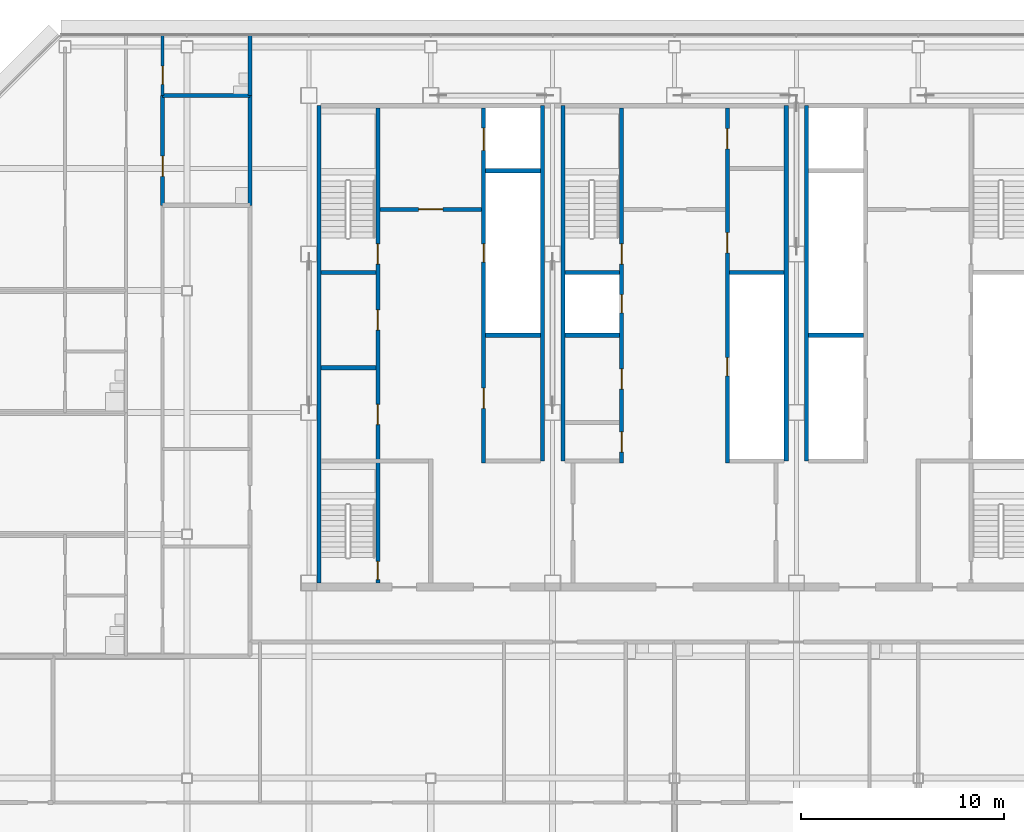
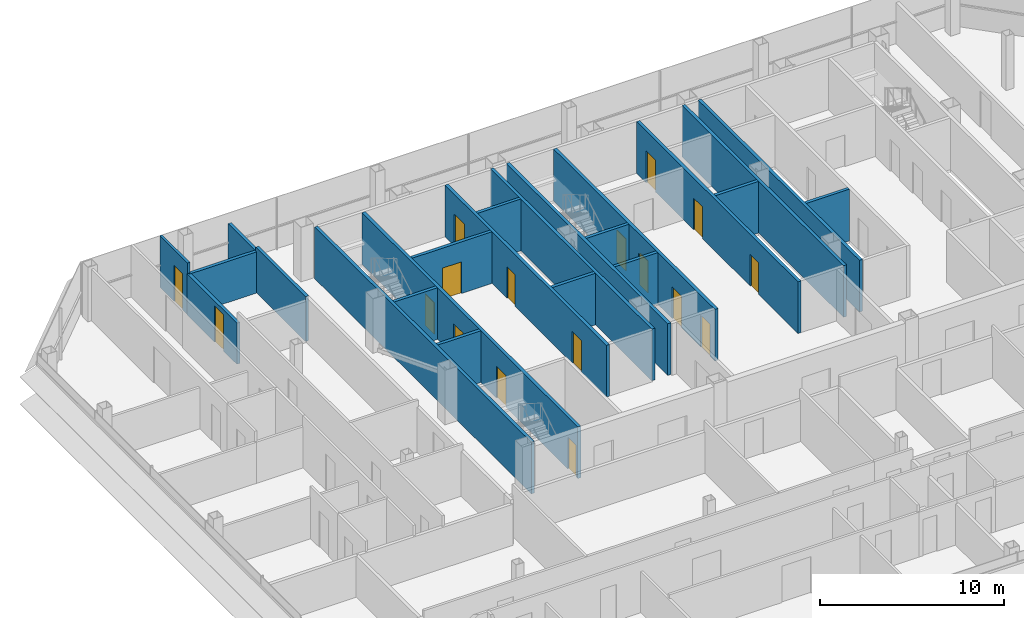
# One storey, part 24 of 28: 23 walls, 17 doors, 17 openings.
"""IFC4 building model written with IfcOpenShell, lengths in metres."""

from ifc_helpers import new_model, si_unit, direction, frame, frame_2d, origin, place, context, subcontext, project, spatial, rectangle, extrude, material, layer, layer_set, type_object, element, fill, save


model = new_model("IFC4")

# Units and contexts
model_context = context("Model", 3, precision=1e-05, world=origin(), true_north=direction((0.0, 1.0)))
body_context = subcontext(model_context, "Body", "Model", "MODEL_VIEW")
ifc_project = project(units=[si_unit("LENGTHUNIT", "METRE"), si_unit("AREAUNIT", "SQUARE_METRE"), si_unit("VOLUMEUNIT", "CUBIC_METRE"), si_unit("PLANEANGLEUNIT", "RADIAN"), si_unit("MASSUNIT", "GRAM", prefix="KILO")], contexts=[model_context])

# Site, building, storey
site_placement = place(None, origin())
site = spatial("IfcSite", under=ifc_project, at=site_placement, CompositionType="ELEMENT")
building_placement = place(site_placement, origin())
building = spatial("IfcBuilding", under=site, at=building_placement, Name="Sorahane Residences", CompositionType="ELEMENT")
storey_placement = place(building_placement, frame((0.0, 0.0, 266.60009765625)))
storey = spatial("IfcBuildingStorey", under=building, at=storey_placement, Name="L63", CompositionType="ELEMENT", Elevation=266.60009765625)

# Walls
ifc_material_1 = material(Name="Concrete C30", Category="concrete")
ifc_layer_1 = layer(ifc_material_1, 0.199951171875)
ifc_layer_set_1 = layer_set([ifc_layer_1], Name="Core face wall 200 EI 180")
wall_type_1 = type_object("IfcWallType", Name="Core face wall 200 EI 180", PredefinedType="SOLIDWALL", material=ifc_layer_set_1)
wall_1_placement = place(storey_placement, frame((6.5, 21.60009765625, 0.0), z_axis=(0.0, 0.0, 1.0), x_axis=(0.0, 1.0, 0.0)))
element("IfcWall", 1, at=wall_1_placement, inside=storey, type_object=wall_type_1, Name="L63 core face wall", PredefinedType="SOLIDWALL", context=body_context, shape_type="SweptSolid", body=[
    extrude(rectangle(XDim=23.5, YDim=0.199951171875, at=frame_2d((11.75, 0.0))), origin(), (0.0, 0.0, 1.0), 3.419921875),
])
for number, where, z_axis, x_axis, name in (
    (2, (17.5, 27.60009765625, 0.0), (0.0, 0.0, 1.0), (0.0, 1.0, 0.0), "L63 core face wall"),
    (3, (18.5, 27.60009765625, 0.0), (0.0, 0.0, 1.0), (0.0, 1.0, 0.0), "L63 core face wall"),
    (4, (29.5, 27.60009765625, 0.0), (0.0, 0.0, 1.0), (0.0, 1.0, 0.0), "L63 core face wall"),
    (5, (30.5, 27.60009765625, 0.0), (0.0, 0.0, 1.0), (0.0, 1.0, 0.0), "L63 core face wall"),
):
    element("IfcWall", number, at=place(storey_placement, frame(where, z_axis=z_axis, x_axis=x_axis)), inside=storey, type_object=wall_type_1, Name=name, PredefinedType="SOLIDWALL", context=body_context, shape_type="SweptSolid", body=[
        extrude(rectangle(XDim=17.5, YDim=0.199951171875, at=frame_2d((8.75, 0.0))), origin(), (0.0, 0.0, 1.0), 3.419921875),
    ])
ifc_material_2 = material(Name="Concrete blockwork C20 wall", Category="masonry")
ifc_layer_2 = layer(ifc_material_2, 0.199951171875)
ifc_layer_set_2 = layer_set([ifc_layer_2], Name="Corridor wall 200 EI 120")
wall_type_2 = type_object("IfcWallType", Name="Corridor wall 200 EI 120", PredefinedType="SOLIDWALL", material=ifc_layer_set_2)
wall_2_placement = place(storey_placement, frame((3.10009765625, 45.60009765625, 0.0), z_axis=(0.0, 0.0, 1.0), x_axis=(0.0, 1.0, 0.0)))
element("IfcWall", 6, at=wall_2_placement, inside=storey, type_object=wall_type_2, Name="L63 corridor wall", PredefinedType="SOLIDWALL", context=body_context, shape_type="SweptSolid", body=[
    extrude(rectangle(XDim=3.0, YDim=0.199951171875, at=frame_2d((1.5, 0.0))), origin(), (0.0, 0.0, 1.0), 2.719970703125),
])

# Wall, opening, door
ifc_material_3 = material(Name="Concrete C30", Category="concrete")
ifc_layer_3 = layer(ifc_material_3, 0.199951171875)
ifc_layer_set_3 = layer_set([ifc_layer_3], Name="Front room wall 200 EI 120")
wall_type_3 = type_object("IfcWallType", Name="Front room wall 200 EI 120", PredefinedType="PARTITIONING", material=ifc_layer_set_3)
wall_3_placement = place(storey_placement, frame((9.5, 40.0, 0.0), z_axis=(0.0, 0.0, 1.0), x_axis=(1.0, 0.0, 0.0)))
wall_3 = element("IfcWall", 7, at=wall_3_placement, inside=storey, type_object=wall_type_3, Name="L63 front room wall", PredefinedType="PARTITIONING", context=body_context, shape_type="SweptSolid", body=[
    extrude(rectangle(XDim=5.0, YDim=0.199951171875, at=frame_2d((2.5, 0.0))), origin(), (0.0, 0.0, 1.0), 3.419921875),
])
opening_1_placement = place(wall_3_placement, frame((1.89990234375, 0.0, 0.0)))
opening_1 = element("IfcOpeningElement", 8, at=opening_1_placement, cuts=wall_3, Name="Opening L63-C08", PredefinedType="OPENING", context=body_context, shape_type="SweptSolid", body=[
    extrude(rectangle(XDim=1.199951171875, YDim=2.10009765625, at=frame_2d((0.60009765625, 1.050048828125))), frame((0.0, 0.10986328125, 0.0), z_axis=(0.0, -1.0, 0.0), x_axis=(1.0, 0.0, 0.0)), (0.0, 0.0, 1.0), 0.219970703125),
])
ifc_material_4 = material(Name="Steel", Category="steel")
door_type_1 = type_object("IfcDoorType", Name="Front room door 1200x2100 FD120", OperationType="NOTDEFINED", PredefinedType="DOOR", material=ifc_material_4)
door_1_placement = place(opening_1_placement, frame((1.199951171875, 0.0, 0.0), z_axis=(0.0, 0.0, 1.0), x_axis=(-1.0, 0.0, 0.0)))
door_1 = element("IfcDoor", 9, at=door_1_placement, inside=storey, type_object=door_type_1, Name="Front room door Firefighting lobby FF1 front room L63", OperationType="DOUBLE_DOOR_SINGLE_SWING", OverallHeight=2.10009765625, OverallWidth=1.199951171875, PredefinedType="DOOR", context=body_context, shape_type="SweptSolid", body=[
    extrude(rectangle(XDim=1.199951171875, YDim=2.10009765625, at=frame_2d((0.60009765625, 1.050048828125))), frame((0.0, 0.02490234375, 0.0), z_axis=(0.0, -1.0, 0.0), x_axis=(1.0, 0.0, 0.0)), (0.0, 0.0, 1.0), 0.050048828125),
])
fill(opening_1, door_1)

ifc_material_5 = material(Name="Concrete blockwork C20 wall", Category="masonry")
ifc_layer_4 = layer(ifc_material_5, 0.199951171875)
ifc_layer_set_4 = layer_set([ifc_layer_4], Name="Kitchen wall 200 EI 180")
wall_type_4 = type_object("IfcWallType", Name="Kitchen wall 200 EI 180", PredefinedType="SOLIDWALL", material=ifc_layer_set_4)
wall_4_placement = place(storey_placement, frame((-1.199951171875, 40.199951171875, 0.0), z_axis=(0.0, 0.0, 1.0), x_axis=(0.0, 1.0, 0.0)))
wall_4 = element("IfcWall", 10, at=wall_4_placement, inside=storey, type_object=wall_type_4, Name="L63 kitchen wall", PredefinedType="SOLIDWALL", context=body_context, shape_type="SweptSolid", body=[
    extrude(rectangle(XDim=5.400146484375, YDim=0.199951171875, at=frame_2d((2.7001953125, 0.0))), origin(), (0.0, 0.0, 1.0), 2.719970703125),
])
opening_2_placement = place(wall_4_placement, frame((1.419921875, 0.0, 0.0)))
opening_2 = element("IfcOpeningElement", 11, at=opening_2_placement, cuts=wall_4, Name="Opening L63-33", PredefinedType="OPENING", context=body_context, shape_type="SweptSolid", body=[
    extrude(rectangle(XDim=1.0, YDim=2.39990234375, at=frame_2d((0.5, 1.199951171875))), frame((0.0, 0.10986328125, 0.0), z_axis=(0.0, -1.0, 0.0), x_axis=(1.0, 0.0, 0.0)), (0.0, 0.0, 1.0), 0.219970703125),
])
ifc_material_6 = material(Name="Steel", Category="steel")
door_type_2 = type_object("IfcDoorType", Name="Kitchen door 1000x2400 FD120", OperationType="NOTDEFINED", PredefinedType="DOOR", material=ifc_material_6)
door_2_placement = place(opening_2_placement, frame((1.0, 0.0, 0.0), z_axis=(0.0, 0.0, 1.0), x_axis=(-1.0, 0.0, 0.0)))
door_2 = element("IfcDoor", 12, at=door_2_placement, inside=storey, type_object=door_type_2, Name="Kitchen door L63-33", OperationType="SINGLE_SWING_LEFT", OverallHeight=2.39990234375, OverallWidth=1.0, PredefinedType="DOOR", context=body_context, shape_type="SweptSolid", body=[
    extrude(rectangle(XDim=1.0, YDim=2.39990234375, at=frame_2d((0.5, 1.199951171875))), frame((0.0, 0.02490234375, 0.0), z_axis=(0.0, -1.0, 0.0), x_axis=(1.0, 0.0, 0.0)), (0.0, 0.0, 1.0), 0.050048828125),
])
fill(opening_2, door_2)

# Walls
wall_5_placement = place(storey_placement, frame((3.10009765625, 40.199951171875, 0.0), z_axis=(0.0, 0.0, 1.0), x_axis=(0.0, 1.0, 0.0)))
element("IfcWall", 13, at=wall_5_placement, inside=storey, type_object=wall_type_4, Name="L63 kitchen wall", PredefinedType="SOLIDWALL", context=body_context, shape_type="SweptSolid", body=[
    extrude(rectangle(XDim=5.400146484375, YDim=0.199951171875, at=frame_2d((2.7001953125, 0.0))), origin(), (0.0, 0.0, 1.0), 2.969970703125),
])
wall_6_placement = place(storey_placement, frame((-1.199951171875, 45.60009765625, 0.0), z_axis=(0.0, 0.0, 1.0), x_axis=(1.0, 0.0, 0.0)))
element("IfcWall", 14, at=wall_6_placement, inside=storey, type_object=wall_type_4, Name="L63 kitchen wall", PredefinedType="SOLIDWALL", context=body_context, shape_type="SweptSolid", body=[
    extrude(rectangle(XDim=4.300048828125, YDim=0.199951171875, at=frame_2d((2.14990234375, 0.0))), origin(), (0.0, 0.0, 1.0), 2.719970703125),
])

# Wall, openings, doors
ifc_material_7 = material(Name="Concrete C30", Category="concrete")
ifc_layer_5 = layer(ifc_material_7, 0.199951171875)
ifc_layer_set_5 = layer_set([ifc_layer_5], Name="Lift shaft wall 200 EI 120")
wall_type_5 = type_object("IfcWallType", Name="Lift shaft wall 200 EI 120", PredefinedType="SOLIDWALL", material=ifc_layer_set_5)
wall_7_placement = place(storey_placement, frame((14.60009765625, 27.5, 0.0), z_axis=(0.0, 0.0, 1.0), x_axis=(0.0, 1.0, 0.0)))
wall_7 = element("IfcWall", 15, at=wall_7_placement, inside=storey, type_object=wall_type_5, Name="L63 lift shaft wall", PredefinedType="SOLIDWALL", context=body_context, shape_type="SweptSolid", body=[
    extrude(rectangle(XDim=17.5, YDim=0.199951171875, at=frame_2d((8.75, 0.0))), origin(), (0.0, 0.0, 1.0), 3.419921875),
])
opening_3_placement = place(wall_7_placement, frame((15.39990234375, 0.0, 0.0)))
opening_3 = element("IfcOpeningElement", 16, at=opening_3_placement, cuts=wall_7, Name="Opening L63-C17", PredefinedType="OPENING", context=body_context, shape_type="SweptSolid", body=[
    extrude(rectangle(XDim=1.10009765625, YDim=2.10009765625, at=frame_2d((0.550048828125, 1.050048828125))), frame((0.0, 0.10986328125, 0.0), z_axis=(0.0, -1.0, 0.0), x_axis=(1.0, 0.0, 0.0)), (0.0, 0.0, 1.0), 0.219970703125),
])
opening_4_placement = place(wall_7_placement, frame((2.699951171875, 0.0, 0.0)))
opening_4 = element("IfcOpeningElement", 17, at=opening_4_placement, cuts=wall_7, Name="Opening L63-C20", PredefinedType="OPENING", context=body_context, shape_type="SweptSolid", body=[
    extrude(rectangle(XDim=1.0, YDim=2.10009765625, at=frame_2d((0.5, 1.050048828125))), frame((0.0, 0.10986328125, 0.0), z_axis=(0.0, -1.0, 0.0), x_axis=(1.0, 0.0, 0.0)), (0.0, 0.0, 1.0), 0.219970703125),
])
opening_5_placement = place(wall_7_placement, frame((9.89990234375, 0.0, 0.0)))
opening_5 = element("IfcOpeningElement", 18, at=opening_5_placement, cuts=wall_7, Name="Opening L63-C28", PredefinedType="OPENING", context=body_context, shape_type="SweptSolid", body=[
    extrude(rectangle(XDim=0.89990234375, YDim=2.10009765625, at=frame_2d((0.449951171875, 1.050048828125))), frame((0.0, 0.10986328125, 0.0), z_axis=(0.0, -1.0, 0.0), x_axis=(1.0, 0.0, 0.0)), (0.0, 0.0, 1.0), 0.219970703125),
])
ifc_material_8 = material(Name="Aluminium and stainless steel", Category="steel")
door_type_3 = type_object("IfcDoorType", Name="Lift landing door 1100x2100 E 60", OperationType="NOTDEFINED", PredefinedType="DOOR", material=ifc_material_8)
door_3_placement = place(opening_3_placement, origin())
door_3 = element("IfcDoor", 19, at=door_3_placement, inside=storey, type_object=door_type_3, Name="Lift landing door FF1 L63", OperationType="DOUBLE_DOOR_SLIDING", OverallHeight=2.10009765625, OverallWidth=1.10009765625, PredefinedType="DOOR", context=body_context, shape_type="SweptSolid", body=[
    extrude(rectangle(XDim=1.10009765625, YDim=2.10009765625, at=frame_2d((0.550048828125, 1.050048828125))), frame((0.0, 0.02490234375, 0.0), z_axis=(0.0, -1.0, 0.0), x_axis=(1.0, 0.0, 0.0)), (0.0, 0.0, 1.0), 0.050048828125),
])
fill(opening_3, door_3)
ifc_material_9 = material(Name="Steel", Category="steel")
door_type_4 = type_object("IfcDoorType", Name="Riser door 900x2100 FD120", OperationType="NOTDEFINED", PredefinedType="DOOR", material=ifc_material_9)
door_4_placement = place(opening_5_placement, origin())
door_4 = element("IfcDoor", 20, at=door_4_placement, inside=storey, type_object=door_type_4, Name="Riser door R1 L63", OperationType="SINGLE_SWING_LEFT", OverallHeight=2.10009765625, OverallWidth=0.89990234375, PredefinedType="DOOR", context=body_context, shape_type="SweptSolid", body=[
    extrude(rectangle(XDim=0.89990234375, YDim=2.10009765625, at=frame_2d((0.449951171875, 1.050048828125))), frame((0.0, 0.02490234375, 0.0), z_axis=(0.0, -1.0, 0.0), x_axis=(1.0, 0.0, 0.0)), (0.0, 0.0, 1.0), 0.050048828125),
])
fill(opening_5, door_4)
ifc_material_10 = material(Name="Steel", Category="steel")
door_type_5 = type_object("IfcDoorType", Name="Service room door 1000x2100 FD60", OperationType="NOTDEFINED", PredefinedType="DOOR", material=ifc_material_10)
door_5_placement = place(opening_4_placement, frame((1.0, 0.0, 0.0), z_axis=(0.0, 0.0, 1.0), x_axis=(-1.0, 0.0, 0.0)))
door_5 = element("IfcDoor", 21, at=door_5_placement, inside=storey, type_object=door_type_5, Name="Service room door Quiet room L63", OperationType="SINGLE_SWING_RIGHT", OverallHeight=2.10009765625, OverallWidth=1.0, PredefinedType="DOOR", context=body_context, shape_type="SweptSolid", body=[
    extrude(rectangle(XDim=1.0, YDim=2.10009765625, at=frame_2d((0.5, 1.050048828125))), frame((0.0, 0.02490234375, 0.0), z_axis=(0.0, -1.0, 0.0), x_axis=(1.0, 0.0, 0.0)), (0.0, 0.0, 1.0), 0.050048828125),
])
fill(opening_4, door_5)

# Walls
for number, where, z_axis, x_axis, name in (
    (22, (30.60009765625, 33.800048828125, 0.0), (0.0, 0.0, 1.0), (1.0, 0.0, 0.0), "L63 lift shaft wall"),
    (23, (14.699951171875, 41.89990234375, 0.0), (0.0, 0.0, 1.0), (1.0, 0.0, 0.0), "L63 lift shaft wall"),
):
    element("IfcWall", number, at=place(storey_placement, frame(where, z_axis=z_axis, x_axis=x_axis)), inside=storey, type_object=wall_type_5, Name=name, PredefinedType="SOLIDWALL", context=body_context, shape_type="SweptSolid", body=[
        extrude(rectangle(XDim=2.699951171875, YDim=0.199951171875, at=frame_2d((1.35009765625, 0.0))), origin(), (0.0, 0.0, 1.0), 3.419921875),
    ])

# Wall, openings, doors
ifc_material_11 = material(Name="Concrete C30", Category="concrete")
ifc_layer_6 = layer(ifc_material_11, 0.199951171875)
ifc_layer_set_6 = layer_set([ifc_layer_6], Name="Riser shaft wall 200 EI 120")
wall_type_6 = type_object("IfcWallType", Name="Riser shaft wall 200 EI 120", PredefinedType="SOLIDWALL", material=ifc_layer_set_6)
wall_8_placement = place(storey_placement, frame((26.60009765625, 27.5, 0.0), z_axis=(0.0, 0.0, 1.0), x_axis=(0.0, 1.0, 0.0)))
wall_8 = element("IfcWall", 24, at=wall_8_placement, inside=storey, type_object=wall_type_6, Name="L63 riser wall", PredefinedType="SOLIDWALL", context=body_context, shape_type="SweptSolid", body=[
    extrude(rectangle(XDim=17.5, YDim=0.199951171875, at=frame_2d((8.75, 0.0))), origin(), (0.0, 0.0, 1.0), 3.419921875),
])
opening_6_placement = place(wall_8_placement, frame((4.300048828125, 0.0, 0.0)))
opening_6 = element("IfcOpeningElement", 25, at=opening_6_placement, cuts=wall_8, Name="Opening L63-C31", PredefinedType="OPENING", context=body_context, shape_type="SweptSolid", body=[
    extrude(rectangle(XDim=0.89990234375, YDim=2.10009765625, at=frame_2d((0.449951171875, 1.050048828125))), frame((0.0, 0.10986328125, 0.0), z_axis=(0.0, -1.0, 0.0), x_axis=(1.0, 0.0, 0.0)), (0.0, 0.0, 1.0), 0.219970703125),
])
opening_7_placement = place(wall_8_placement, frame((10.35009765625, 0.0, 0.0)))
opening_7 = element("IfcOpeningElement", 26, at=opening_7_placement, cuts=wall_8, Name="Opening L63-C32", PredefinedType="OPENING", context=body_context, shape_type="SweptSolid", body=[
    extrude(rectangle(XDim=1.0, YDim=2.10009765625, at=frame_2d((0.5, 1.050048828125))), frame((0.0, 0.10986328125, 0.0), z_axis=(0.0, -1.0, 0.0), x_axis=(1.0, 0.0, 0.0)), (0.0, 0.0, 1.0), 0.219970703125),
])
opening_8_placement = place(wall_8_placement, frame((15.47509765625, 0.0, 0.0)))
opening_8 = element("IfcOpeningElement", 27, at=opening_8_placement, cuts=wall_8, Name="Opening L63-C33", PredefinedType="OPENING", context=body_context, shape_type="SweptSolid", body=[
    extrude(rectangle(XDim=1.0, YDim=2.10009765625, at=frame_2d((0.5, 1.050048828125))), frame((0.0, 0.10986328125, 0.0), z_axis=(0.0, -1.0, 0.0), x_axis=(1.0, 0.0, 0.0)), (0.0, 0.0, 1.0), 0.219970703125),
])
door_6_placement = place(opening_6_placement, origin())
door_6 = element("IfcDoor", 28, at=door_6_placement, inside=storey, type_object=door_type_4, Name="Riser door R4 L63", OperationType="SINGLE_SWING_LEFT", OverallHeight=2.10009765625, OverallWidth=0.89990234375, PredefinedType="DOOR", context=body_context, shape_type="SweptSolid", body=[
    extrude(rectangle(XDim=0.89990234375, YDim=2.10009765625, at=frame_2d((0.449951171875, 1.050048828125))), frame((0.0, 0.02490234375, 0.0), z_axis=(0.0, -1.0, 0.0), x_axis=(1.0, 0.0, 0.0)), (0.0, 0.0, 1.0), 0.050048828125),
])
fill(opening_6, door_6)
door_7_placement = place(opening_7_placement, frame((1.0, 0.0, 0.0), z_axis=(0.0, 0.0, 1.0), x_axis=(-1.0, 0.0, 0.0)))
door_7 = element("IfcDoor", 29, at=door_7_placement, inside=storey, type_object=door_type_5, Name="Service room door Parcel room L63", OperationType="SINGLE_SWING_LEFT", OverallHeight=2.10009765625, OverallWidth=1.0, PredefinedType="DOOR", context=body_context, shape_type="SweptSolid", body=[
    extrude(rectangle(XDim=1.0, YDim=2.10009765625, at=frame_2d((0.5, 1.050048828125))), frame((0.0, 0.02490234375, 0.0), z_axis=(0.0, -1.0, 0.0), x_axis=(1.0, 0.0, 0.0)), (0.0, 0.0, 1.0), 0.050048828125),
])
fill(opening_7, door_7)
door_8_placement = place(opening_8_placement, frame((1.0, 0.0, 0.0), z_axis=(0.0, 0.0, 1.0), x_axis=(-1.0, 0.0, 0.0)))
door_8 = element("IfcDoor", 30, at=door_8_placement, inside=storey, type_object=door_type_5, Name="Service room door Refuse room L63", OperationType="SINGLE_SWING_RIGHT", OverallHeight=2.10009765625, OverallWidth=1.0, PredefinedType="DOOR", context=body_context, shape_type="SweptSolid", body=[
    extrude(rectangle(XDim=1.0, YDim=2.10009765625, at=frame_2d((0.5, 1.050048828125))), frame((0.0, 0.02490234375, 0.0), z_axis=(0.0, -1.0, 0.0), x_axis=(1.0, 0.0, 0.0)), (0.0, 0.0, 1.0), 0.050048828125),
])
fill(opening_8, door_8)

# Walls
for number, where, z_axis, x_axis, name in (
    (31, (14.699951171875, 33.800048828125, 0.0), (0.0, 0.0, 1.0), (1.0, 0.0, 0.0), "L63 riser wall"),
    (32, (18.60009765625, 33.800048828125, 0.0), (0.0, 0.0, 1.0), (1.0, 0.0, 0.0), "L63 riser wall"),
    (33, (26.699951171875, 36.89990234375, 0.0), (0.0, 0.0, 1.0), (1.0, 0.0, 0.0), "L63 riser wall"),
):
    element("IfcWall", number, at=place(storey_placement, frame(where, z_axis=z_axis, x_axis=x_axis)), inside=storey, type_object=wall_type_6, Name=name, PredefinedType="SOLIDWALL", context=body_context, shape_type="SweptSolid", body=[
        extrude(rectangle(XDim=2.699951171875, YDim=0.199951171875, at=frame_2d((1.35009765625, 0.0))), origin(), (0.0, 0.0, 1.0), 3.419921875),
    ])
ifc_material_12 = material(Name="Concrete C30", Category="concrete")
ifc_layer_7 = layer(ifc_material_12, 0.199951171875)
ifc_layer_set_7 = layer_set([ifc_layer_7], Name="Service room partition 200 EI 60")
wall_type_7 = type_object("IfcWallType", Name="Service room partition 200 EI 60", PredefinedType="PARTITIONING", material=ifc_layer_set_7)
wall_9_placement = place(storey_placement, frame((6.60009765625, 32.199951171875, 0.0), z_axis=(0.0, 0.0, 1.0), x_axis=(1.0, 0.0, 0.0)))
element("IfcWall", 34, at=wall_9_placement, inside=storey, type_object=wall_type_7, Name="L63 service room wall", PredefinedType="PARTITIONING", context=body_context, shape_type="SweptSolid", body=[
    extrude(rectangle(XDim=2.699951171875, YDim=0.199951171875, at=frame_2d((1.35009765625, 0.0))), origin(), (0.0, 0.0, 1.0), 3.419921875),
])

# Wall, openings, doors
ifc_material_13 = material(Name="Concrete C30", Category="concrete")
ifc_layer_8 = layer(ifc_material_13, 0.199951171875)
ifc_layer_set_8 = layer_set([ifc_layer_8], Name="Stair enclosure wall 200 EI 120")
wall_type_8 = type_object("IfcWallType", Name="Stair enclosure wall 200 EI 120", PredefinedType="SOLIDWALL", material=ifc_layer_set_8)
wall_10_placement = place(storey_placement, frame((21.39990234375, 27.5, 0.0), z_axis=(0.0, 0.0, 1.0), x_axis=(0.0, 1.0, 0.0)))
wall_10 = element("IfcWall", 35, at=wall_10_placement, inside=storey, type_object=wall_type_8, Name="L63 stair enclosure wall", PredefinedType="SOLIDWALL", context=body_context, shape_type="SweptSolid", body=[
    extrude(rectangle(XDim=17.5, YDim=0.199951171875, at=frame_2d((8.75, 0.0))), origin(), (0.0, 0.0, 1.0), 3.419921875),
])
opening_9_placement = place(wall_10_placement, frame((0.550048828125, 0.0, 0.0)))
opening_9 = element("IfcOpeningElement", 36, at=opening_9_placement, cuts=wall_10, Name="Opening L63-C18", PredefinedType="OPENING", context=body_context, shape_type="SweptSolid", body=[
    extrude(rectangle(XDim=1.0, YDim=2.10009765625, at=frame_2d((0.5, 1.050048828125))), frame((0.0, 0.10986328125, 0.0), z_axis=(0.0, -1.0, 0.0), x_axis=(1.0, 0.0, 0.0)), (0.0, 0.0, 1.0), 0.219970703125),
])
opening_10_placement = place(wall_10_placement, frame((3.64990234375, 0.0, 0.0)))
opening_10 = element("IfcOpeningElement", 37, at=opening_10_placement, cuts=wall_10, Name="Opening L63-C19", PredefinedType="OPENING", context=body_context, shape_type="SweptSolid", body=[
    extrude(rectangle(XDim=1.0, YDim=2.10009765625, at=frame_2d((0.5, 1.050048828125))), frame((0.0, 0.10986328125, 0.0), z_axis=(0.0, -1.0, 0.0), x_axis=(1.0, 0.0, 0.0)), (0.0, 0.0, 1.0), 0.219970703125),
])
opening_11_placement = place(wall_10_placement, frame((9.800048828125, 0.0, 0.0)))
opening_11 = element("IfcOpeningElement", 38, at=opening_11_placement, cuts=wall_10, Name="Opening L63-C25", PredefinedType="OPENING", context=body_context, shape_type="SweptSolid", body=[
    extrude(rectangle(XDim=1.0, YDim=2.10009765625, at=frame_2d((0.5, 1.050048828125))), frame((0.0, 0.10986328125, 0.0), z_axis=(0.0, -1.0, 0.0), x_axis=(1.0, 0.0, 0.0)), (0.0, 0.0, 1.0), 0.219970703125),
])
opening_12_placement = place(wall_10_placement, frame((7.39990234375, 0.0, 0.0)))
opening_12 = element("IfcOpeningElement", 39, at=opening_12_placement, cuts=wall_10, Name="Opening L63-C30", PredefinedType="OPENING", context=body_context, shape_type="SweptSolid", body=[
    extrude(rectangle(XDim=0.89990234375, YDim=2.10009765625, at=frame_2d((0.449951171875, 1.050048828125))), frame((0.0, 0.10986328125, 0.0), z_axis=(0.0, -1.0, 0.0), x_axis=(1.0, 0.0, 0.0)), (0.0, 0.0, 1.0), 0.219970703125),
])
door_9_placement = place(opening_12_placement, frame((0.89990234375, 0.0, 0.0), z_axis=(0.0, 0.0, 1.0), x_axis=(-1.0, 0.0, 0.0)))
door_9 = element("IfcDoor", 40, at=door_9_placement, inside=storey, type_object=door_type_4, Name="Riser door R3 L63", OperationType="SINGLE_SWING_LEFT", OverallHeight=2.10009765625, OverallWidth=0.89990234375, PredefinedType="DOOR", context=body_context, shape_type="SweptSolid", body=[
    extrude(rectangle(XDim=0.89990234375, YDim=2.10009765625, at=frame_2d((0.449951171875, 1.050048828125))), frame((0.0, 0.02490234375, 0.0), z_axis=(0.0, -1.0, 0.0), x_axis=(1.0, 0.0, 0.0)), (0.0, 0.0, 1.0), 0.050048828125),
])
fill(opening_12, door_9)
door_10_placement = place(opening_9_placement, origin())
door_10 = element("IfcDoor", 41, at=door_10_placement, inside=storey, type_object=door_type_5, Name="Service room door Guest suite store L63", OperationType="SINGLE_SWING_LEFT", OverallHeight=2.10009765625, OverallWidth=1.0, PredefinedType="DOOR", context=body_context, shape_type="SweptSolid", body=[
    extrude(rectangle(XDim=1.0, YDim=2.10009765625, at=frame_2d((0.5, 1.050048828125))), frame((0.0, 0.02490234375, 0.0), z_axis=(0.0, -1.0, 0.0), x_axis=(1.0, 0.0, 0.0)), (0.0, 0.0, 1.0), 0.050048828125),
])
fill(opening_9, door_10)
door_11_placement = place(opening_10_placement, origin())
door_11 = element("IfcDoor", 42, at=door_11_placement, inside=storey, type_object=door_type_5, Name="Service room door Library L63", OperationType="SINGLE_SWING_LEFT", OverallHeight=2.10009765625, OverallWidth=1.0, PredefinedType="DOOR", context=body_context, shape_type="SweptSolid", body=[
    extrude(rectangle(XDim=1.0, YDim=2.10009765625, at=frame_2d((0.5, 1.050048828125))), frame((0.0, 0.02490234375, 0.0), z_axis=(0.0, -1.0, 0.0), x_axis=(1.0, 0.0, 0.0)), (0.0, 0.0, 1.0), 0.050048828125),
])
fill(opening_10, door_11)
ifc_material_14 = material(Name="Steel", Category="steel")
door_type_6 = type_object("IfcDoorType", Name="Stair door 1000x2100 FD120", OperationType="NOTDEFINED", PredefinedType="DOOR", material=ifc_material_14)
door_12_placement = place(opening_11_placement, origin())
door_12 = element("IfcDoor", 43, at=door_12_placement, inside=storey, type_object=door_type_6, Name="Stair door S3 L63", OperationType="SINGLE_SWING_LEFT", OverallHeight=2.10009765625, OverallWidth=1.0, PredefinedType="DOOR", context=body_context, shape_type="SweptSolid", body=[
    extrude(rectangle(XDim=1.0, YDim=2.10009765625, at=frame_2d((0.5, 1.050048828125))), frame((0.0, 0.02490234375, 0.0), z_axis=(0.0, -1.0, 0.0), x_axis=(1.0, 0.0, 0.0)), (0.0, 0.0, 1.0), 0.050048828125),
])
fill(opening_11, door_12)

wall_11_placement = place(storey_placement, frame((9.39990234375, 21.60009765625, 0.0), z_axis=(0.0, 0.0, 1.0), x_axis=(0.0, 1.0, 0.0)))
wall_11 = element("IfcWall", 44, at=wall_11_placement, inside=storey, type_object=wall_type_8, Name="L63 stair enclosure wall", PredefinedType="SOLIDWALL", context=body_context, shape_type="SweptSolid", body=[
    extrude(rectangle(XDim=23.39990234375, YDim=0.199951171875, at=frame_2d((11.699951171875, 0.0))), origin(), (0.0, 0.0, 1.0), 3.419921875),
])
opening_13_placement = place(wall_11_placement, frame((7.800048828125, 0.0, 0.0)))
opening_13 = element("IfcOpeningElement", 45, at=opening_13_placement, cuts=wall_11, Name="Opening L63-C21", PredefinedType="OPENING", context=body_context, shape_type="SweptSolid", body=[
    extrude(rectangle(XDim=1.0, YDim=2.10009765625, at=frame_2d((0.5, 1.050048828125))), frame((0.0, 0.10986328125, 0.0), z_axis=(0.0, -1.0, 0.0), x_axis=(1.0, 0.0, 0.0)), (0.0, 0.0, 1.0), 0.219970703125),
])
opening_14_placement = place(wall_11_placement, frame((12.449951171875, 0.0, 0.0)))
opening_14 = element("IfcOpeningElement", 46, at=opening_14_placement, cuts=wall_11, Name="Opening L63-C22", PredefinedType="OPENING", context=body_context, shape_type="SweptSolid", body=[
    extrude(rectangle(XDim=1.0, YDim=2.10009765625, at=frame_2d((0.5, 1.050048828125))), frame((0.0, 0.10986328125, 0.0), z_axis=(0.0, -1.0, 0.0), x_axis=(1.0, 0.0, 0.0)), (0.0, 0.0, 1.0), 0.219970703125),
])
opening_15_placement = place(wall_11_placement, frame((15.699951171875, 0.0, 0.0)))
opening_15 = element("IfcOpeningElement", 47, at=opening_15_placement, cuts=wall_11, Name="Opening L63-C23", PredefinedType="OPENING", context=body_context, shape_type="SweptSolid", body=[
    extrude(rectangle(XDim=1.0, YDim=2.10009765625, at=frame_2d((0.5, 1.050048828125))), frame((0.0, 0.10986328125, 0.0), z_axis=(0.0, -1.0, 0.0), x_axis=(1.0, 0.0, 0.0)), (0.0, 0.0, 1.0), 0.219970703125),
])
opening_16_placement = place(wall_11_placement, frame((0.175048828125, 0.0, 0.0)))
opening_16 = element("IfcOpeningElement", 48, at=opening_16_placement, cuts=wall_11, Name="Opening L63-C26", PredefinedType="OPENING", context=body_context, shape_type="SweptSolid", body=[
    extrude(rectangle(XDim=0.89990234375, YDim=2.10009765625, at=frame_2d((0.449951171875, 1.050048828125))), frame((0.0, 0.10986328125, 0.0), z_axis=(0.0, -1.0, 0.0), x_axis=(1.0, 0.0, 0.0)), (0.0, 0.0, 1.0), 0.219970703125),
])
door_13_placement = place(opening_13_placement, origin())
door_13 = element("IfcDoor", 49, at=door_13_placement, inside=storey, type_object=door_type_5, Name="Service room door Quiet room L63", OperationType="SINGLE_SWING_RIGHT", OverallHeight=2.10009765625, OverallWidth=1.0, PredefinedType="DOOR", context=body_context, shape_type="SweptSolid", body=[
    extrude(rectangle(XDim=1.0, YDim=2.10009765625, at=frame_2d((0.5, 1.050048828125))), frame((0.0, 0.02490234375, 0.0), z_axis=(0.0, -1.0, 0.0), x_axis=(1.0, 0.0, 0.0)), (0.0, 0.0, 1.0), 0.050048828125),
])
fill(opening_13, door_13)
door_14_placement = place(opening_14_placement, origin())
door_14 = element("IfcDoor", 50, at=door_14_placement, inside=storey, type_object=door_type_5, Name="Service room door Quiet room L63", OperationType="SINGLE_SWING_LEFT", OverallHeight=2.10009765625, OverallWidth=1.0, PredefinedType="DOOR", context=body_context, shape_type="SweptSolid", body=[
    extrude(rectangle(XDim=1.0, YDim=2.10009765625, at=frame_2d((0.5, 1.050048828125))), frame((0.0, 0.02490234375, 0.0), z_axis=(0.0, -1.0, 0.0), x_axis=(1.0, 0.0, 0.0)), (0.0, 0.0, 1.0), 0.050048828125),
])
fill(opening_14, door_14)
door_15_placement = place(opening_15_placement, origin())
door_15 = element("IfcDoor", 51, at=door_15_placement, inside=storey, type_object=door_type_6, Name="Stair door S1 L63", OperationType="SINGLE_SWING_LEFT", OverallHeight=2.10009765625, OverallWidth=1.0, PredefinedType="DOOR", context=body_context, shape_type="SweptSolid", body=[
    extrude(rectangle(XDim=1.0, YDim=2.10009765625, at=frame_2d((0.5, 1.050048828125))), frame((0.0, 0.02490234375, 0.0), z_axis=(0.0, -1.0, 0.0), x_axis=(1.0, 0.0, 0.0)), (0.0, 0.0, 1.0), 0.050048828125),
])
fill(opening_15, door_15)
ifc_material_15 = material(Name="Steel", Category="steel")
door_type_7 = type_object("IfcDoorType", Name="Stair door 900x2100 FD120", OperationType="NOTDEFINED", PredefinedType="DOOR", material=ifc_material_15)
door_16_placement = place(opening_16_placement, origin())
door_16 = element("IfcDoor", 52, at=door_16_placement, inside=storey, type_object=door_type_7, Name="Stair door S4 L63", OperationType="SINGLE_SWING_LEFT", OverallHeight=2.10009765625, OverallWidth=0.89990234375, PredefinedType="DOOR", context=body_context, shape_type="SweptSolid", body=[
    extrude(rectangle(XDim=0.89990234375, YDim=2.10009765625, at=frame_2d((0.449951171875, 1.050048828125))), frame((0.0, 0.02490234375, 0.0), z_axis=(0.0, -1.0, 0.0), x_axis=(1.0, 0.0, 0.0)), (0.0, 0.0, 1.0), 0.050048828125),
])
fill(opening_16, door_16)

# Walls
for number, where, z_axis, x_axis, name in (
    (53, (18.60009765625, 36.89990234375, 0.0), (0.0, 0.0, 1.0), (1.0, 0.0, 0.0), "L63 stair enclosure wall"),
    (54, (6.60009765625, 36.89990234375, 0.0), (0.0, 0.0, 1.0), (1.0, 0.0, 0.0), "L63 stair enclosure wall"),
):
    element("IfcWall", number, at=place(storey_placement, frame(where, z_axis=z_axis, x_axis=x_axis)), inside=storey, type_object=wall_type_8, Name=name, PredefinedType="SOLIDWALL", context=body_context, shape_type="SweptSolid", body=[
        extrude(rectangle(XDim=2.699951171875, YDim=0.199951171875, at=frame_2d((1.35009765625, 0.0))), origin(), (0.0, 0.0, 1.0), 3.419921875),
    ])

# Wall, opening, door
ifc_material_16 = material(Name="Gypsum board partition on steel studs", Category="steel")
ifc_layer_9 = layer(ifc_material_16, 0.14990234375)
ifc_layer_set_9 = layer_set([ifc_layer_9], Name="Wet wall 150 EI 90")
wall_type_9 = type_object("IfcWallType", Name="Wet wall 150 EI 90", PredefinedType="PARTITIONING", material=ifc_layer_set_9)
wall_12_placement = place(storey_placement, frame((-1.199951171875, 45.60009765625, 0.0), z_axis=(0.0, 0.0, 1.0), x_axis=(0.0, 1.0, 0.0)))
wall_12 = element("IfcWall", 55, at=wall_12_placement, inside=storey, type_object=wall_type_9, Name="L63 wet wall", PredefinedType="PARTITIONING", context=body_context, shape_type="SweptSolid", body=[
    extrude(rectangle(XDim=3.0, YDim=0.14990234375, at=frame_2d((1.5, 0.0))), origin(), (0.0, 0.0, 1.0), 3.419921875),
])
opening_17_placement = place(wall_12_placement, frame((0.550048828125, 0.0, 0.0)))
opening_17 = element("IfcOpeningElement", 56, at=opening_17_placement, cuts=wall_12, Name="Opening L63-34", PredefinedType="OPENING", context=body_context, shape_type="SweptSolid", body=[
    extrude(rectangle(XDim=0.89990234375, YDim=2.39990234375, at=frame_2d((0.449951171875, 1.199951171875))), frame((0.0, 0.0849609375, 0.0), z_axis=(0.0, -1.0, 0.0), x_axis=(1.0, 0.0, 0.0)), (0.0, 0.0, 1.0), 0.169921875),
])
ifc_material_17 = material(Name="Timber veneered fire door", Category="wood")
door_type_8 = type_object("IfcDoorType", Name="Bathroom door 900x2400 FD30", OperationType="NOTDEFINED", PredefinedType="DOOR", material=ifc_material_17)
door_17_placement = place(opening_17_placement, origin())
door_17 = element("IfcDoor", 57, at=door_17_placement, inside=storey, type_object=door_type_8, Name="Bathroom door L63-34", OperationType="SINGLE_SWING_LEFT", OverallHeight=2.39990234375, OverallWidth=0.89990234375, PredefinedType="DOOR", context=body_context, shape_type="SweptSolid", body=[
    extrude(rectangle(XDim=0.89990234375, YDim=2.39990234375, at=frame_2d((0.449951171875, 1.199951171875))), frame((0.0, 0.02490234375, 0.0), z_axis=(0.0, -1.0, 0.0), x_axis=(1.0, 0.0, 0.0)), (0.0, 0.0, 1.0), 0.050048828125),
])
fill(opening_17, door_17)

save(model, "model.ifc")
